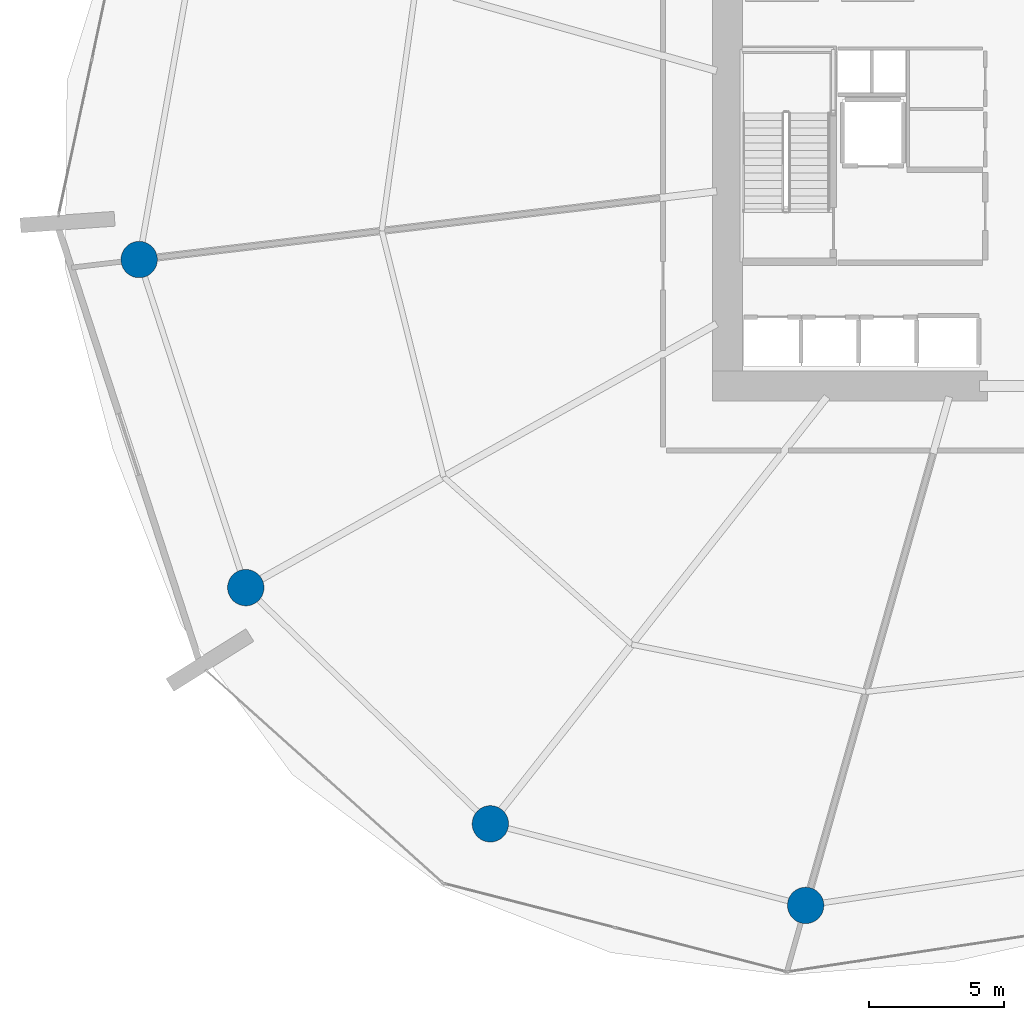
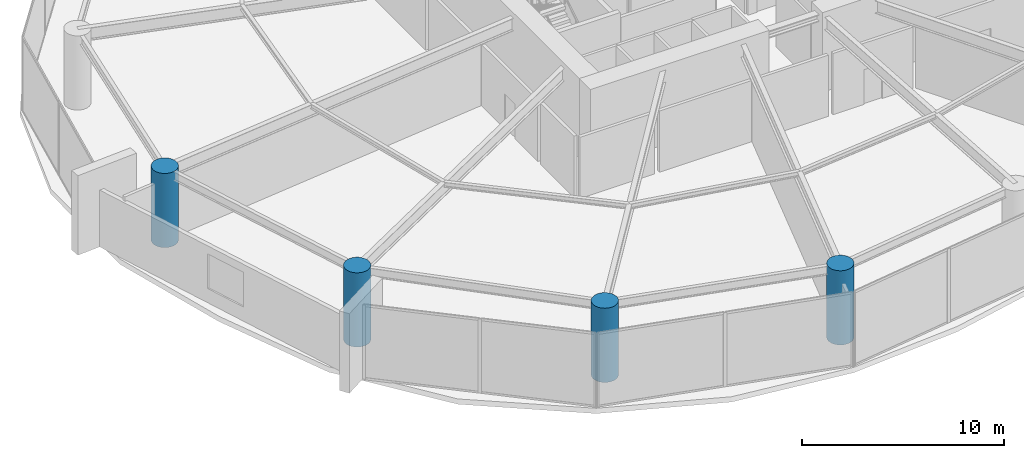
# One storey, part 1 of 22: 4 columns.
"""IFC4 building model written with IfcOpenShell, lengths in metres."""

import ifcopenshell
import ifcopenshell.guid

model = None  # the IFC model being written
_history = None  # IfcOwnerHistory: only IFC2X3 demands one
_inside = {}  # id of a spatial element -> (the spatial element, [elements in it])
_under = {}  # id of a project, library or spatial element -> (it, [spatial elements below it])
_declared = {}  # id of a project -> (the project, [libraries it declares])
_typed = {}  # id of a type object -> (the type object, [elements of that type])
_made_of = {}  # id of a material, layer set ... -> (it, [elements and type objects made of it])


def new_model(schema):
    """Start an empty IFC model of exactly this schema.

    Asked for "IFC4X3", IfcOpenShell would pick the latest addendum, in which some entities
    have other attributes; the version numbers below select the first issue.
    IFC2X3 requires an IfcOwnerHistory on every rooted entity: one is made here for all.
    """
    global model, _history
    if schema == "IFC4X3":
        model = ifcopenshell.file(schema_version=(4, 3, 0, 0))
    else:
        model = ifcopenshell.file(schema=schema)
    _inside.clear()
    _under.clear()
    _declared.clear()
    _typed.clear()
    _made_of.clear()
    _history = None
    if model.schema == "IFC2X3":
        org = make("IfcOrganization", Name="unknown")
        user = make(
            "IfcPersonAndOrganization",
            ThePerson=make("IfcPerson", FamilyName="unknown"),
            TheOrganization=org,
        )
        app = make(
            "IfcApplication",
            ApplicationDeveloper=org,
            Version="unknown",
            ApplicationFullName="unknown",
            ApplicationIdentifier="unknown",
        )
        _history = make(
            "IfcOwnerHistory",
            OwningUser=user,
            OwningApplication=app,
            ChangeAction="ADDED",
            CreationDate=0,
        )
    return model


def make(cls, **values):
    """One entity of the class cls with the attributes given. An attribute that is None is left unset."""
    return model.create_entity(
        cls, **{name: value for name, value in values.items() if value is not None}
    )


def rooted(cls, **values):
    """An entity with a GlobalId (a new one), such as an element, a storey or a relation."""
    return make(cls, GlobalId=ifcopenshell.guid.new(), OwnerHistory=_history, **values)


def si_unit(unit_type, name, prefix=None):
    """IfcSIUnit, for example si_unit("LENGTHUNIT", "METRE", prefix="MILLI")."""
    return make("IfcSIUnit", UnitType=unit_type, Prefix=prefix, Name=name)


def assignment(units):
    """IfcUnitAssignment: the units of a project."""
    return None if units is None else make("IfcUnitAssignment", Units=units)


def point(xyz):
    """IfcCartesianPoint."""
    return None if xyz is None else make("IfcCartesianPoint", Coordinates=xyz)


def direction(xyz):
    """IfcDirection."""
    return None if xyz is None else make("IfcDirection", DirectionRatios=xyz)


def frame(location, z_axis=None, x_axis=None):
    """IfcAxis2Placement3D, a coordinate frame: its origin and axes. An axis left out is left unset."""
    return make(
        "IfcAxis2Placement3D",
        Location=point(location),
        Axis=direction(z_axis),
        RefDirection=direction(x_axis),
    )


def frame_2d(location, x_axis=None):
    """IfcAxis2Placement2D, a coordinate frame in the plane: its origin and x axis."""
    return make(
        "IfcAxis2Placement2D", Location=point(location), RefDirection=direction(x_axis)
    )


def origin():
    """The frame at (0, 0, 0) with its axes left unset."""
    return frame((0.0, 0.0, 0.0))


def origin_2d():
    """The frame at (0, 0) in the plane with its x axis left unset."""
    return frame_2d((0.0, 0.0))


def place(relative_to, where):
    """IfcLocalPlacement: puts the frame where relative to a parent placement (None: the world)."""
    return make(
        "IfcLocalPlacement", PlacementRelTo=relative_to, RelativePlacement=where
    )


def context(
    kind, dimensions, precision=None, world=None, true_north=None, identifier=None
):
    """IfcGeometricRepresentationContext, for example the 3D "Model" context."""
    return make(
        "IfcGeometricRepresentationContext",
        ContextIdentifier=identifier,
        ContextType=kind,
        CoordinateSpaceDimension=dimensions,
        Precision=precision,
        WorldCoordinateSystem=world,
        TrueNorth=true_north,
    )


def subcontext(parent, identifier, kind, view, scale=None):
    """IfcGeometricRepresentationSubContext, for example "Body" below "Model"."""
    return make(
        "IfcGeometricRepresentationSubContext",
        ContextIdentifier=identifier,
        ContextType=kind,
        ParentContext=parent,
        TargetScale=scale,
        TargetView=view,
    )


def project(units=None, contexts=None):
    """IfcProject with its units and contexts."""
    return rooted(
        "IfcProject",
        Name="project",
        RepresentationContexts=contexts,
        UnitsInContext=assignment(units),
    )


def spatial(cls, under=None, at=None, **own):
    """A site, building, storey or space (cls), placed at a placement, below another one or the project."""
    s = rooted(cls, ObjectPlacement=at, **own)
    if under is not None:
        _under.setdefault(under.id(), (under, []))[1].append(s)
    return s


def profile(cls, at=None, kind="AREA", **sizes):
    """A parametric profile (cls). Its sizes go by their IFC names, for example OverallWidth=200.0."""
    return make(cls, ProfileType=kind, Position=at, **sizes)


def circle(**sizes):
    """IfcCircleProfileDef."""
    return profile("IfcCircleProfileDef", **sizes)


def extrude(swept, where, along, depth):
    """IfcExtrudedAreaSolid: the profile swept, set in the frame where, extruded along a direction by depth."""
    return make(
        "IfcExtrudedAreaSolid",
        SweptArea=swept,
        Position=where,
        ExtrudedDirection=direction(along),
        Depth=depth,
    )


def shape(context_of_items, identifier, shape_type, items):
    """IfcShapeRepresentation: the items that make up one representation, for example the "Body"."""
    return make(
        "IfcShapeRepresentation",
        ContextOfItems=context_of_items,
        RepresentationIdentifier=identifier,
        RepresentationType=shape_type,
        Items=items,
    )


def material(Name=None, Category=None):
    """IfcMaterial."""
    return make("IfcMaterial", Name=Name, Category=Category)


def material_profile(
    of_material, cross_section, Name=None, Category=None, Priority=None
):
    """IfcMaterialProfile: a cross section and its material."""
    return make(
        "IfcMaterialProfile",
        Name=Name,
        Material=of_material,
        Profile=cross_section,
        Priority=Priority,
        Category=Category,
    )


def profile_set(profiles, Name=None, composite=None):
    """IfcMaterialProfileSet."""
    return make(
        "IfcMaterialProfileSet",
        Name=Name,
        MaterialProfiles=profiles,
        CompositeProfile=composite,
    )


def made_of(thing, what):
    """Note that an element or type object is made of a material, layer set ...; save() writes the relation."""
    if what is not None:
        _made_of.setdefault(what.id(), (what, []))[1].append(thing)
    return thing


def type_object(cls, material=None, **own):
    """A type object (cls), such as IfcWallType, which elements share."""
    return made_of(rooted(cls, **own), material)


def element(
    cls,
    number,
    at=None,
    inside=None,
    cuts=None,
    type_object=None,
    material=None,
    context=None,
    identifier="Body",
    shape_type=None,
    held_by="IfcProductDefinitionShape",
    body=None,
    shapes=None,
    **own,
):
    """One element of the class cls, such as IfcWall. Its Tag is "e" and its number.

    at: its placement. inside: the storey or other place that contains it. cuts: it is an
    opening in that element (IfcRelVoidsElement). A single representation is given by context,
    identifier, shape_type and body (its items); several are given by shapes. held_by: the class
    of the entity that holds the representations. save() writes the other relations.
    """
    e = rooted(cls, Tag="e%d" % number, ObjectPlacement=at, **own)
    if body is not None:
        shapes = [shape(context, identifier, shape_type, body)]
    if shapes is not None:
        e.Representation = make(held_by, Representations=shapes)
    if inside is not None:
        _inside.setdefault(inside.id(), (inside, []))[1].append(e)
    if cuts is not None:
        rooted(
            "IfcRelVoidsElement", RelatingBuildingElement=cuts, RelatedOpeningElement=e
        )
    if type_object is not None:
        _typed.setdefault(type_object.id(), (type_object, []))[1].append(e)
    return made_of(e, material)


def aggregate(whole, parts):
    """IfcRelAggregates: a whole, such as a stair, and the parts it consists of."""
    return rooted("IfcRelAggregates", RelatingObject=whole, RelatedObjects=parts)


def save(model, path):
    """Write the relations noted so far, then the file.

    IfcRelAggregates (storeys below a building ...), IfcRelContainedInSpatialStructure (elements
    in a storey), IfcRelDefinesByType, IfcRelAssociatesMaterial and IfcRelDeclares: one each for
    every whole, place, type object, material and project.
    """
    for whole, parts in _under.values():
        aggregate(whole, parts)
    for where, things in _inside.values():
        rooted(
            "IfcRelContainedInSpatialStructure",
            RelatedElements=things,
            RelatingStructure=where,
        )
    for kind, things in _typed.values():
        rooted("IfcRelDefinesByType", RelatedObjects=things, RelatingType=kind)
    for what, things in _made_of.values():
        rooted("IfcRelAssociatesMaterial", RelatedObjects=things, RelatingMaterial=what)
    for by, libraries in _declared.values():
        rooted("IfcRelDeclares", RelatingContext=by, RelatedDefinitions=libraries)
    model.write(path)


model = new_model("IFC4")

# Units and contexts
model_context = context("Model", 3, precision=1e-05, world=origin(), true_north=direction((0.0, 1.0)))
body_context = subcontext(model_context, "Body", "Model", "MODEL_VIEW")
ifc_project = project(units=[si_unit("LENGTHUNIT", "METRE"), si_unit("AREAUNIT", "SQUARE_METRE"), si_unit("VOLUMEUNIT", "CUBIC_METRE"), si_unit("PLANEANGLEUNIT", "RADIAN"), si_unit("MASSUNIT", "GRAM", prefix="KILO")], contexts=[model_context])

# Site, building, storey
site_placement = place(None, origin())
site = spatial("IfcSite", under=ifc_project, at=site_placement, CompositionType="ELEMENT")
building_placement = place(site_placement, origin())
building = spatial("IfcBuilding", under=site, at=building_placement, Name="Kazma Halo Residences", CompositionType="ELEMENT")
storey_placement = place(building_placement, frame((0.0, 0.0, 12.0)))
storey = spatial("IfcBuildingStorey", under=building, at=storey_placement, Name="L02", CompositionType="ELEMENT", Elevation=12.0)

# Columns
ifc_material = material(Name="Concrete C80/95", Category="concrete")
ifc_material_profile = material_profile(ifc_material, circle(Radius=0.675048828125, at=origin_2d()), Name="CIRC1350")
ifc_profile_set = profile_set([ifc_material_profile], Name="Concrete C80/95")
column_type = type_object("IfcColumnType", Name="COL-PERIM-1350", PredefinedType="COLUMN", material=ifc_profile_set)
for number, where, z_axis, x_axis, name in (
    (1, (15.410400390625, 38.142822265625, 0.0), (0.0, 0.0, 1.0), (1.0, 0.0, 0.0), "L02 perimeter ring column P08"),
    (2, (19.3671875, 25.96484375, 0.0), (0.0, 0.0, 1.0), (1.0, 0.0, 0.0), "L02 perimeter ring column P09"),
    (3, (28.44677734375, 17.19677734375, 0.0), (0.0, 0.0, 1.0), (1.0, 0.0, 0.0), "L02 perimeter ring column P10"),
    (4, (40.15087890625, 14.168701171875, 0.0), (0.0, 0.0, 1.0), (1.0, 0.0, 0.0), "L02 perimeter ring column P11"),
):
    element("IfcColumn", number, at=place(storey_placement, frame(where, z_axis=z_axis, x_axis=x_axis)), inside=storey, type_object=column_type, Name=name, PredefinedType="COLUMN", context=body_context, shape_type="SweptSolid", body=[
        extrude(circle(Radius=0.675048828125, at=origin_2d()), origin(), (0.0, 0.0, 1.0), 4.47998046875),
    ])

save(model, "model.ifc")
